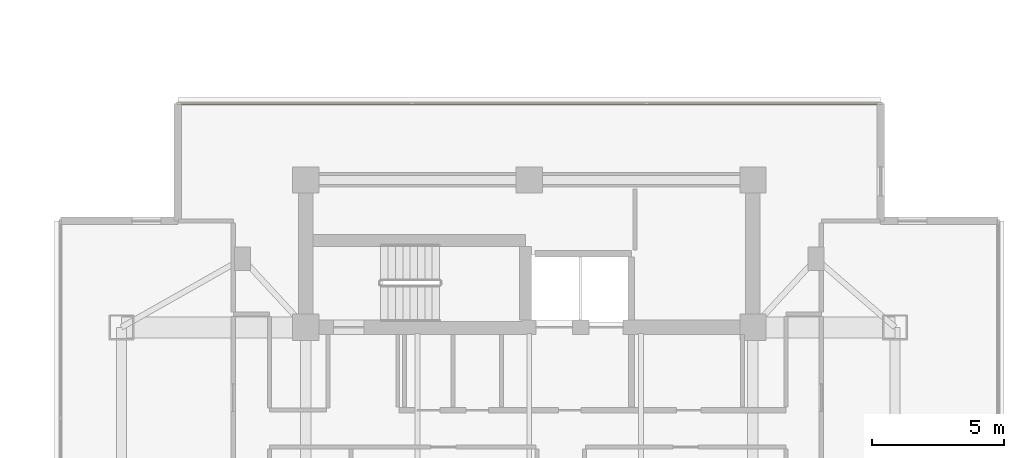
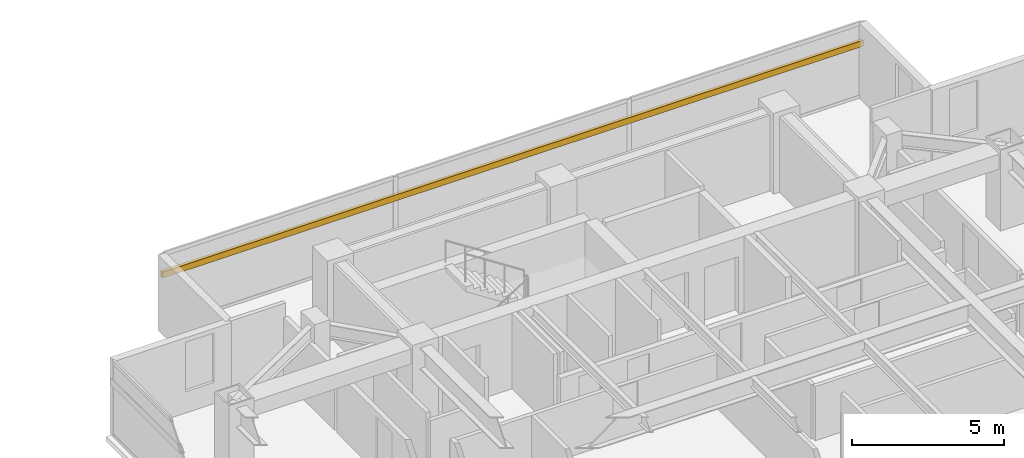
# One storey, part 26 of 26: 1 shading device.
"""IFC4 building model written with IfcOpenShell, lengths in metres."""

from ifc_helpers import new_model, si_unit, direction, frame, origin, origin_2d, place, context, subcontext, project, spatial, rectangle, extrude, material, material_profile, profile_set, type_object, element, save


model = new_model("IFC4")

# Units and contexts
model_context = context("Model", 3, precision=1e-05, world=origin(), true_north=direction((0.0, 1.0)))
body_context = subcontext(model_context, "Body", "Model", "MODEL_VIEW")
ifc_project = project(units=[si_unit("LENGTHUNIT", "METRE"), si_unit("AREAUNIT", "SQUARE_METRE"), si_unit("VOLUMEUNIT", "CUBIC_METRE"), si_unit("PLANEANGLEUNIT", "RADIAN"), si_unit("MASSUNIT", "GRAM", prefix="KILO")], contexts=[model_context])

# Site, building, storey
site_placement = place(None, origin())
site = spatial("IfcSite", under=ifc_project, at=site_placement, CompositionType="ELEMENT")
building_placement = place(site_placement, origin())
building = spatial("IfcBuilding", under=site, at=building_placement, Name="Mirazonda Arch Towers", CompositionType="ELEMENT")
storey_placement = place(building_placement, frame((0.0, 0.0, 170.64990234375)))
storey = spatial("IfcBuildingStorey", under=building, at=storey_placement, Name="L48", CompositionType="ELEMENT", Elevation=170.64990234375)

# Shading device
ifc_material = material(Name="Kiln-Fired Architectural Terracotta", Category="masonry")
ifc_material_profile = material_profile(ifc_material, rectangle(XDim=0.1201171875, YDim=0.239990234375, at=origin_2d()), Name="TERRA-BAG-120x240")
ifc_profile_set = profile_set([ifc_material_profile], Name="Kiln-Fired Architectural Terracotta")
shading_device_type = type_object("IfcShadingDeviceType", Name="BAGUETTE-1", PredefinedType="USERDEFINED", material=ifc_profile_set)
shading_device_placement = place(storey_placement, frame((63.142578125, 43.7080078125, 2.181640625), z_axis=(1.0, 0.0, 0.0), x_axis=(0.0, 1.0, 0.0)))
element("IfcShadingDevice", 1, at=shading_device_placement, inside=storey, type_object=shading_device_type, Name="L48 Glazed Terracotta Sun-Screen Baguette CW-L48-T2-N", ObjectType="BAGUETTE", PredefinedType="USERDEFINED", context=body_context, shape_type="SweptSolid", body=[
    extrude(rectangle(XDim=0.1201171875, YDim=0.239990234375, at=origin_2d()), origin(), (0.0, 0.0, 1.0), 26.71484375),
])

save(model, "model.ifc")
